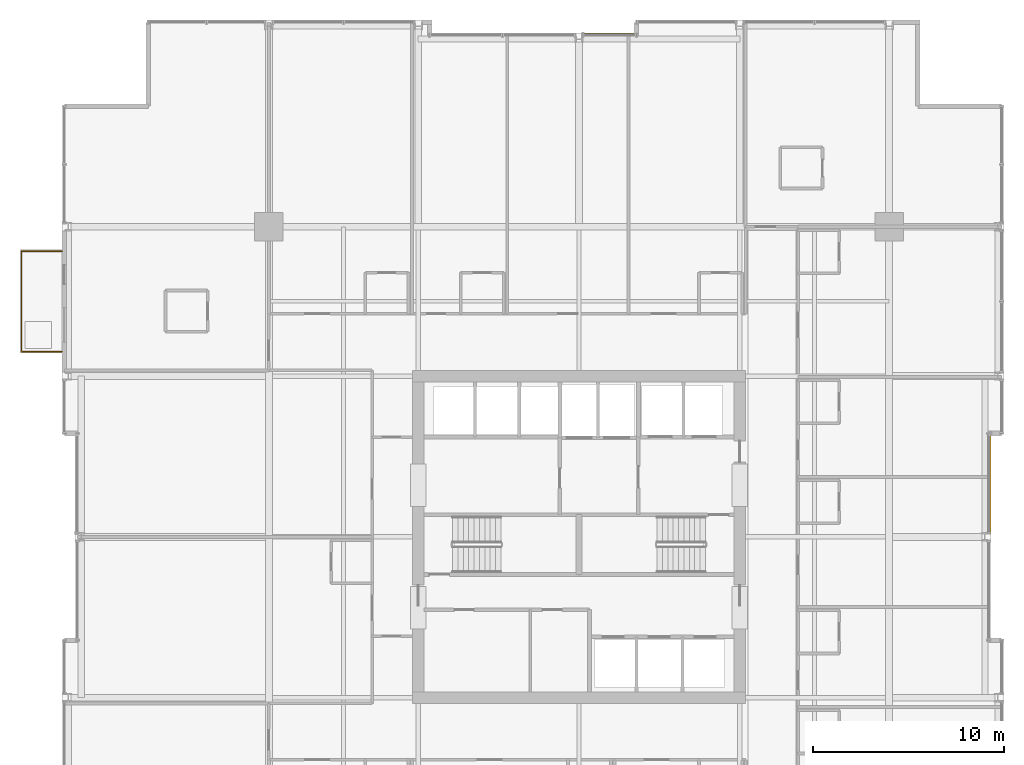
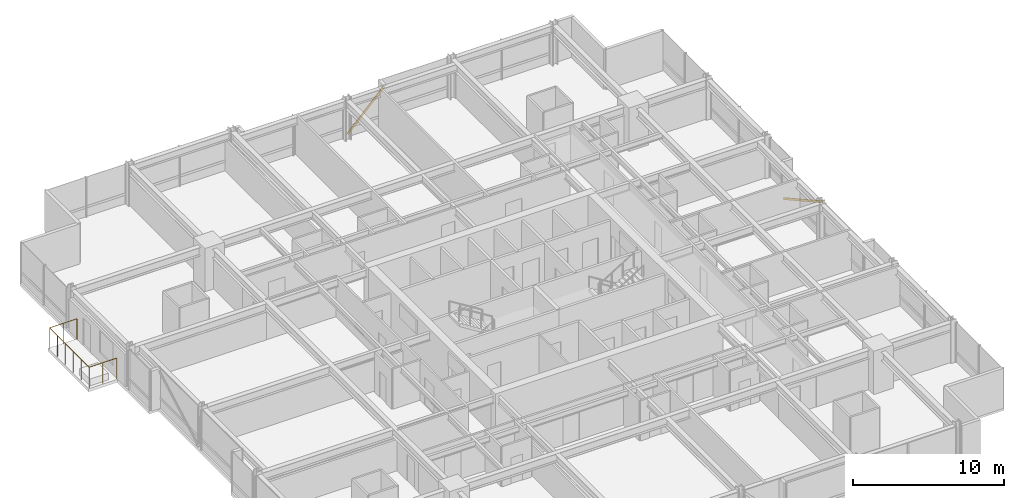
# One storey, part 35 of 35: 2 shading devices, 1 railing.
"""IFC4 building model written with IfcOpenShell, lengths in metres."""

from ifc_helpers import new_model, si_unit, direction, frame, origin, origin_2d, place, context, subcontext, project, spatial, hollow_rectangle, circle, extrude, material, material_profile, profile_set, type_object, element, save


model = new_model("IFC4")

# Units and contexts
model_context = context("Model", 3, precision=1e-05, world=origin(), true_north=direction((0.0, 1.0)))
body_context = subcontext(model_context, "Body", "Model", "MODEL_VIEW")
ifc_project = project(units=[si_unit("LENGTHUNIT", "METRE"), si_unit("AREAUNIT", "SQUARE_METRE"), si_unit("VOLUMEUNIT", "CUBIC_METRE"), si_unit("PLANEANGLEUNIT", "RADIAN"), si_unit("MASSUNIT", "GRAM", prefix="KILO")], contexts=[model_context])

# Site, building, storey
site_placement = place(None, origin())
site = spatial("IfcSite", under=ifc_project, at=site_placement, CompositionType="ELEMENT")
building_placement = place(site_placement, origin())
building = spatial("IfcBuilding", under=site, at=building_placement, Name="Drelvath Grand Hotel", CompositionType="ELEMENT")
storey_placement = place(building_placement, frame((0.0, 0.0, 130.300048828125)))
storey = spatial("IfcBuildingStorey", under=building, at=storey_placement, Name="L33", CompositionType="ELEMENT", Elevation=130.300048828125)

# Shading devices
ifc_material_1 = material(Name="Champagne Bronze Anodised Aluminium", Category="aluminium")
ifc_material_profile = material_profile(ifc_material_1, hollow_rectangle(XDim=0.06494140625, YDim=0.159912109375, WallThickness=0.00390625, at=origin_2d()), Name="HSS160X65X4")
ifc_profile_set = profile_set([ifc_material_profile], Name="Champagne Bronze Anodised Aluminium")
shading_device_type = type_object("IfcShadingDeviceType", Name="Diagonal Solar Fin Champagne Anodised HSS160X65X4", PredefinedType="USERDEFINED", material=ifc_profile_set)
shading_device_1_placement = place(storey_placement, frame((21.47998046875, 32.39990234375, 0.179931640625), z_axis=(0.0, -0.874403549895, 0.485199373383), x_axis=(1.0, 0.0, 0.0)))
element("IfcShadingDevice", 1, at=shading_device_1_placement, inside=storey, type_object=shading_device_type, Name="L33 Diagonal Anodised Fin CW03-L33-EM2", ObjectType="FIN", PredefinedType="USERDEFINED", context=body_context, shape_type="SweptSolid", body=[
    extrude(hollow_rectangle(XDim=0.06494140625, YDim=0.159912109375, WallThickness=0.00390625, at=origin_2d()), origin(), (0.0, 0.0, 1.0), 5.93603515625),
])
shading_device_2_placement = place(storey_placement, frame((0.20947265625, 53.280029296875, 0.179931640625), z_axis=(0.69584722953, 0.0, 0.718189830863), x_axis=(0.0, 1.0, 0.0)))
element("IfcShadingDevice", 2, at=shading_device_2_placement, inside=storey, type_object=shading_device_type, Name="L33 Diagonal Anodised Fin CW03-L33-NM2", ObjectType="FIN", PredefinedType="USERDEFINED", context=body_context, shape_type="SweptSolid", body=[
    extrude(hollow_rectangle(XDim=0.06494140625, YDim=0.159912109375, WallThickness=0.00390625, at=origin_2d()), origin(), (0.0, 0.0, 1.0), 4.01025390625),
])

# Railing
ifc_material_2 = material(Name="Anodised Aluminium and Laminated Glass Balustrade", Category="aluminium")
railing_type = type_object("IfcRailingType", Name="Raised Planter Edge Balustrade 1700", PredefinedType="BALUSTRADE", material=ifc_material_2)
railing_placement = place(storey_placement, frame((-27.02001953125, 36.679931640625, 0.0)))
element("IfcRailing", 3, at=railing_placement, inside=storey, type_object=railing_type, Name="L33 Tree Balcony Perimeter Balustrade 1", PredefinedType="BALUSTRADE", context=body_context, shape_type="SweptSolid", body=[
    extrude(circle(Radius=0.02392578125, at=origin_2d()), frame((0.0, 0.0, 1.67578125), z_axis=(-1.0, 0.0, 0.0), x_axis=(0.0, -1.0, 0.0)), (0.0, 0.0, 1.0), 2.10009765625),
    extrude(circle(Radius=0.02392578125, at=origin_2d()), frame((-2.10009765625, 0.0, 1.67578125), z_axis=(0.0, 1.0, 0.0), x_axis=(-1.0, 0.0, 0.0)), (0.0, 0.0, 1.0), 5.239990234375),
    extrude(circle(Radius=0.02392578125, at=origin_2d()), frame((-2.10009765625, 5.239990234375, 1.67578125), z_axis=(1.0, 0.0, 0.0), x_axis=(0.0, 1.0, 0.0)), (0.0, 0.0, 1.0), 2.10009765625),
    extrude(circle(Radius=0.02099609375, at=origin_2d()), origin(), (0.0, 0.0, 1.0), 1.65185546875),
    extrude(circle(Radius=0.02099609375, at=origin_2d()), frame((-1.050048828125, 0.0, 0.0)), (0.0, 0.0, 1.0), 1.65185546875),
    extrude(circle(Radius=0.02099609375, at=origin_2d()), frame((-2.10009765625, 0.0, 0.0)), (0.0, 0.0, 1.0), 1.65185546875),
    extrude(circle(Radius=0.02099609375, at=origin_2d()), frame((-2.10009765625, 1.048095703125, 0.0)), (0.0, 0.0, 1.0), 1.65185546875),
    extrude(circle(Radius=0.02099609375, at=origin_2d()), frame((-2.10009765625, 2.095947265625, 0.0)), (0.0, 0.0, 1.0), 1.65185546875),
    extrude(circle(Radius=0.02099609375, at=origin_2d()), frame((-2.10009765625, 3.14404296875, 0.0)), (0.0, 0.0, 1.0), 1.65185546875),
    extrude(circle(Radius=0.02099609375, at=origin_2d()), frame((-2.10009765625, 4.19189453125, 0.0)), (0.0, 0.0, 1.0), 1.65185546875),
    extrude(circle(Radius=0.02099609375, at=origin_2d()), frame((-2.10009765625, 5.239990234375, 0.0)), (0.0, 0.0, 1.0), 1.65185546875),
    extrude(circle(Radius=0.02099609375, at=origin_2d()), frame((-1.050048828125, 5.239990234375, 0.0)), (0.0, 0.0, 1.0), 1.65185546875),
    extrude(circle(Radius=0.02099609375, at=origin_2d()), frame((0.0, 5.239990234375, 0.0)), (0.0, 0.0, 1.0), 1.65185546875),
])

save(model, "model.ifc")
